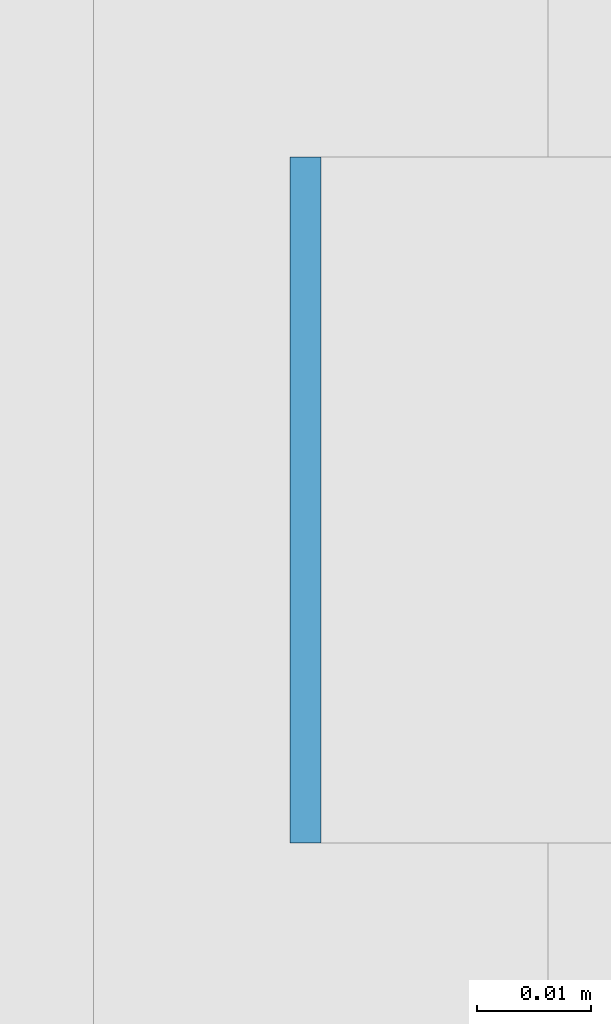
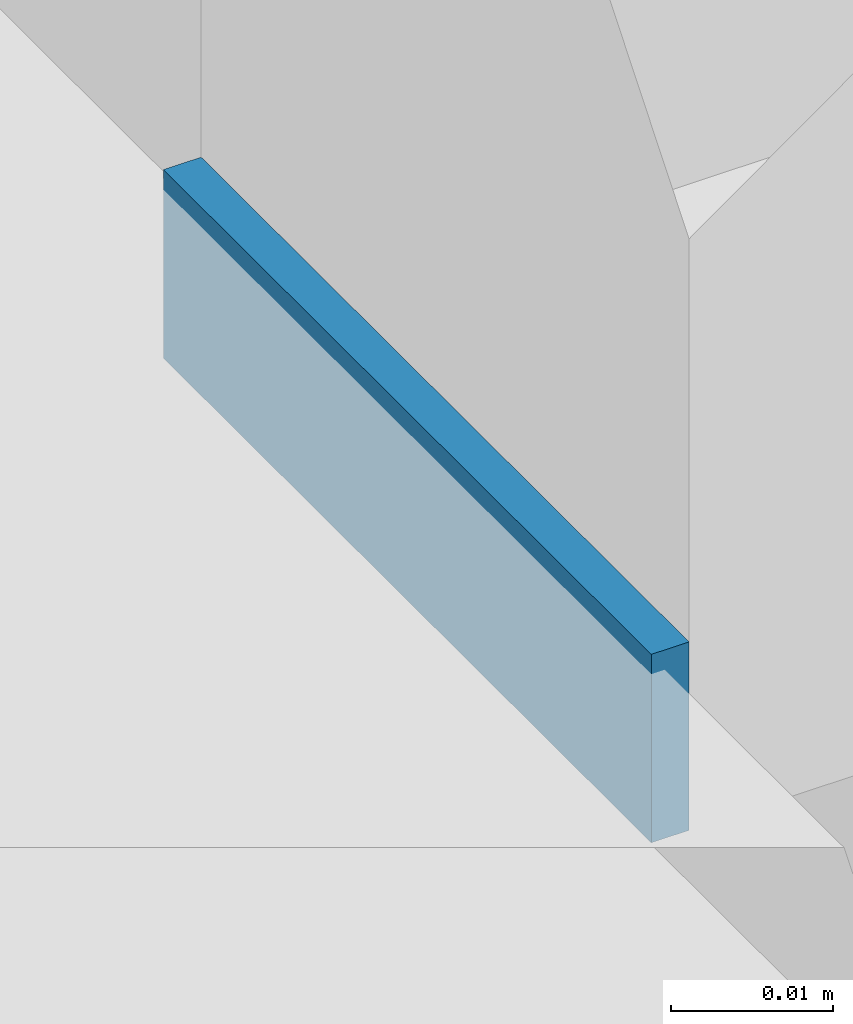
# One storey, part 456 of 646: 1 discrete accessory.
"""IFC4 building model written with IfcOpenShell, lengths in metres."""

from ifc_helpers import new_model, si_unit, direction, frame, origin, origin_2d, place, context, subcontext, project, spatial, rectangle, extrude, material, type_object, element, save


model = new_model("IFC4")

# Units and contexts
model_context = context("Model", 3, precision=1e-05, world=origin(), true_north=direction((0.0, 1.0)))
body_context = subcontext(model_context, "Body", "Model", "MODEL_VIEW")
ifc_project = project(units=[si_unit("LENGTHUNIT", "METRE"), si_unit("AREAUNIT", "SQUARE_METRE"), si_unit("VOLUMEUNIT", "CUBIC_METRE"), si_unit("PLANEANGLEUNIT", "RADIAN"), si_unit("MASSUNIT", "GRAM", prefix="KILO")], contexts=[model_context])

# Site, building, storey
site_placement = place(None, origin())
site = spatial("IfcSite", under=ifc_project, at=site_placement, CompositionType="ELEMENT")
building_placement = place(site_placement, origin())
building = spatial("IfcBuilding", under=site, at=building_placement, Name="Silverbay Arena", CompositionType="ELEMENT")
storey_placement = place(building_placement, frame((0.0, 0.0, 33.5)))
storey = spatial("IfcBuildingStorey", under=building, at=storey_placement, Name="L05", CompositionType="ELEMENT", Elevation=33.5)

# Discrete accessory
ifc_material = material(Name="Steel S355", Category="steel")
discrete_accessory_type = type_object("IfcDiscreteAccessoryType", Name="Steel bracket plate", PredefinedType="BRACKET", material=ifc_material)
discrete_accessory_placement = place(storey_placement, frame((207.128662109375, 42.428466796875, 4.0), z_axis=(0.0, 0.0, 1.0), x_axis=(1.0, 0.0, 0.0)))
element("IfcDiscreteAccessory", 1, at=discrete_accessory_placement, inside=storey, type_object=discrete_accessory_type, Name="Curtain wall packing plate", PredefinedType="BRACKET", context=body_context, shape_type="SweptSolid", body=[
    extrude(rectangle(XDim=0.002685546875, YDim=0.06005859375, at=origin_2d()), origin(), (0.0, 0.0, 1.0), 0.01416015625),
])

save(model, "model.ifc")
